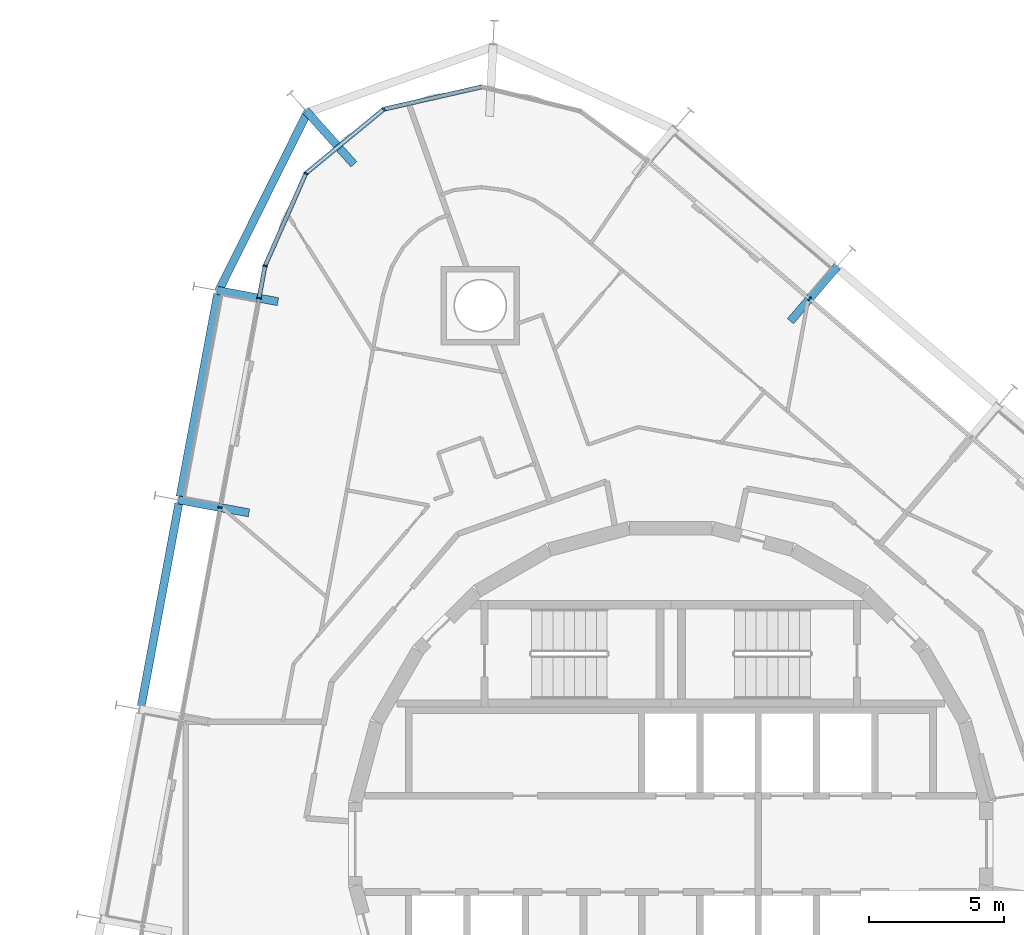
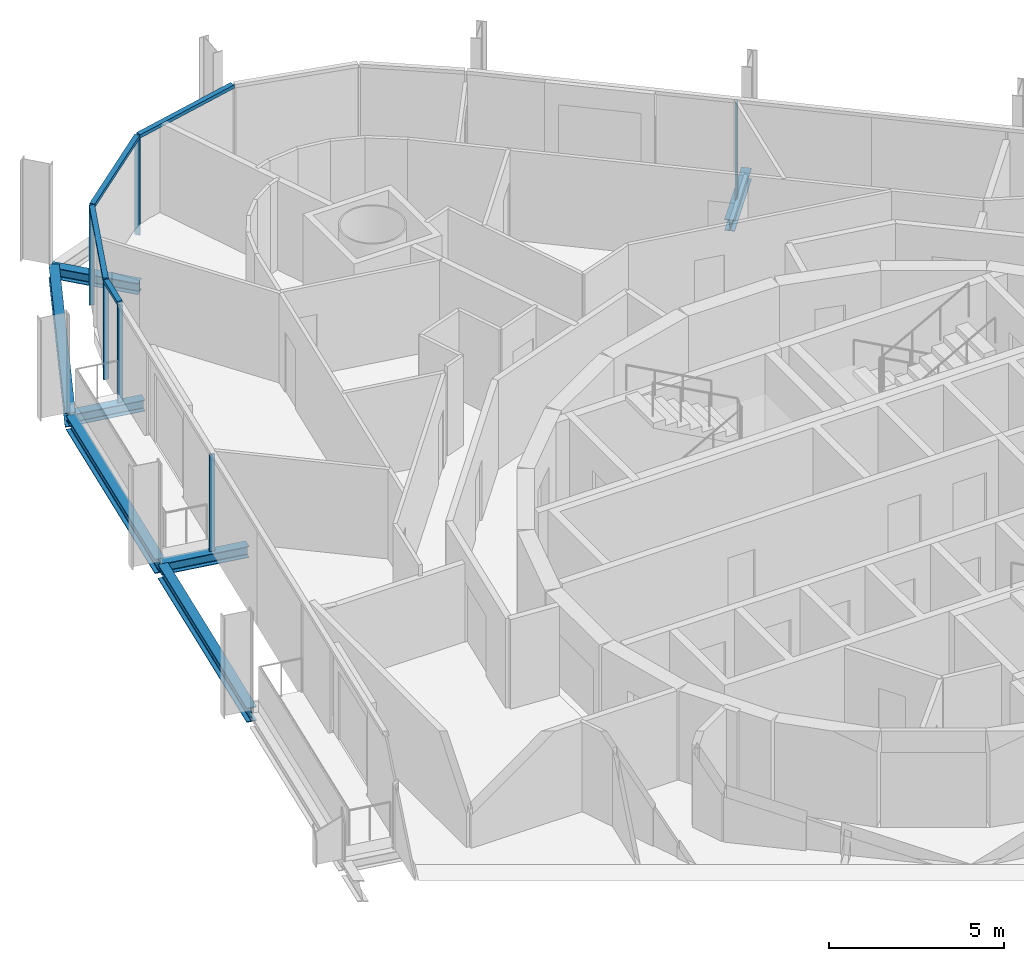
# One storey, part 6 of 17: 10 members, 7 beams, 3 elements without a shape of their own.
"""IFC4 building model written with IfcOpenShell, lengths in metres."""

import ifcopenshell
import ifcopenshell.guid

model = None  # the IFC model being written
_history = None  # IfcOwnerHistory: only IFC2X3 demands one
_inside = {}  # id of a spatial element -> (the spatial element, [elements in it])
_under = {}  # id of a project, library or spatial element -> (it, [spatial elements below it])
_declared = {}  # id of a project -> (the project, [libraries it declares])
_typed = {}  # id of a type object -> (the type object, [elements of that type])
_made_of = {}  # id of a material, layer set ... -> (it, [elements and type objects made of it])


def new_model(schema):
    """Start an empty IFC model of exactly this schema.

    Asked for "IFC4X3", IfcOpenShell would pick the latest addendum, in which some entities
    have other attributes; the version numbers below select the first issue.
    IFC2X3 requires an IfcOwnerHistory on every rooted entity: one is made here for all.
    """
    global model, _history
    if schema == "IFC4X3":
        model = ifcopenshell.file(schema_version=(4, 3, 0, 0))
    else:
        model = ifcopenshell.file(schema=schema)
    _inside.clear()
    _under.clear()
    _declared.clear()
    _typed.clear()
    _made_of.clear()
    _history = None
    if model.schema == "IFC2X3":
        org = make("IfcOrganization", Name="unknown")
        user = make(
            "IfcPersonAndOrganization",
            ThePerson=make("IfcPerson", FamilyName="unknown"),
            TheOrganization=org,
        )
        app = make(
            "IfcApplication",
            ApplicationDeveloper=org,
            Version="unknown",
            ApplicationFullName="unknown",
            ApplicationIdentifier="unknown",
        )
        _history = make(
            "IfcOwnerHistory",
            OwningUser=user,
            OwningApplication=app,
            ChangeAction="ADDED",
            CreationDate=0,
        )
    return model


def make(cls, **values):
    """One entity of the class cls with the attributes given. An attribute that is None is left unset."""
    return model.create_entity(
        cls, **{name: value for name, value in values.items() if value is not None}
    )


def rooted(cls, **values):
    """An entity with a GlobalId (a new one), such as an element, a storey or a relation."""
    return make(cls, GlobalId=ifcopenshell.guid.new(), OwnerHistory=_history, **values)


def si_unit(unit_type, name, prefix=None):
    """IfcSIUnit, for example si_unit("LENGTHUNIT", "METRE", prefix="MILLI")."""
    return make("IfcSIUnit", UnitType=unit_type, Prefix=prefix, Name=name)


def assignment(units):
    """IfcUnitAssignment: the units of a project."""
    return None if units is None else make("IfcUnitAssignment", Units=units)


def point(xyz):
    """IfcCartesianPoint."""
    return None if xyz is None else make("IfcCartesianPoint", Coordinates=xyz)


def direction(xyz):
    """IfcDirection."""
    return None if xyz is None else make("IfcDirection", DirectionRatios=xyz)


def frame(location, z_axis=None, x_axis=None):
    """IfcAxis2Placement3D, a coordinate frame: its origin and axes. An axis left out is left unset."""
    return make(
        "IfcAxis2Placement3D",
        Location=point(location),
        Axis=direction(z_axis),
        RefDirection=direction(x_axis),
    )


def frame_2d(location, x_axis=None):
    """IfcAxis2Placement2D, a coordinate frame in the plane: its origin and x axis."""
    return make(
        "IfcAxis2Placement2D", Location=point(location), RefDirection=direction(x_axis)
    )


def origin():
    """The frame at (0, 0, 0) with its axes left unset."""
    return frame((0.0, 0.0, 0.0))


def origin_2d():
    """The frame at (0, 0) in the plane with its x axis left unset."""
    return frame_2d((0.0, 0.0))


def place(relative_to, where):
    """IfcLocalPlacement: puts the frame where relative to a parent placement (None: the world)."""
    return make(
        "IfcLocalPlacement", PlacementRelTo=relative_to, RelativePlacement=where
    )


def context(
    kind, dimensions, precision=None, world=None, true_north=None, identifier=None
):
    """IfcGeometricRepresentationContext, for example the 3D "Model" context."""
    return make(
        "IfcGeometricRepresentationContext",
        ContextIdentifier=identifier,
        ContextType=kind,
        CoordinateSpaceDimension=dimensions,
        Precision=precision,
        WorldCoordinateSystem=world,
        TrueNorth=true_north,
    )


def subcontext(parent, identifier, kind, view, scale=None):
    """IfcGeometricRepresentationSubContext, for example "Body" below "Model"."""
    return make(
        "IfcGeometricRepresentationSubContext",
        ContextIdentifier=identifier,
        ContextType=kind,
        ParentContext=parent,
        TargetScale=scale,
        TargetView=view,
    )


def project(units=None, contexts=None):
    """IfcProject with its units and contexts."""
    return rooted(
        "IfcProject",
        Name="project",
        RepresentationContexts=contexts,
        UnitsInContext=assignment(units),
    )


def spatial(cls, under=None, at=None, **own):
    """A site, building, storey or space (cls), placed at a placement, below another one or the project."""
    s = rooted(cls, ObjectPlacement=at, **own)
    if under is not None:
        _under.setdefault(under.id(), (under, []))[1].append(s)
    return s


def profile(cls, at=None, kind="AREA", **sizes):
    """A parametric profile (cls). Its sizes go by their IFC names, for example OverallWidth=200.0."""
    return make(cls, ProfileType=kind, Position=at, **sizes)


def rectangle(**sizes):
    """IfcRectangleProfileDef."""
    return profile("IfcRectangleProfileDef", **sizes)


def i_section(**sizes):
    """IfcIShapeProfileDef."""
    return profile("IfcIShapeProfileDef", **sizes)


def extrude(swept, where, along, depth):
    """IfcExtrudedAreaSolid: the profile swept, set in the frame where, extruded along a direction by depth."""
    return make(
        "IfcExtrudedAreaSolid",
        SweptArea=swept,
        Position=where,
        ExtrudedDirection=direction(along),
        Depth=depth,
    )


def shape(context_of_items, identifier, shape_type, items):
    """IfcShapeRepresentation: the items that make up one representation, for example the "Body"."""
    return make(
        "IfcShapeRepresentation",
        ContextOfItems=context_of_items,
        RepresentationIdentifier=identifier,
        RepresentationType=shape_type,
        Items=items,
    )


def material(Name=None, Category=None):
    """IfcMaterial."""
    return make("IfcMaterial", Name=Name, Category=Category)


def layer(
    of_material, thickness, ventilated=None, Name=None, Category=None, Priority=None
):
    """IfcMaterialLayer: one layer of a wall or slab, of a material (None: an air gap)."""
    return make(
        "IfcMaterialLayer",
        Material=of_material,
        LayerThickness=thickness,
        IsVentilated=ventilated,
        Name=Name,
        Category=Category,
        Priority=Priority,
    )


def layer_set(layers, Name=None):
    """IfcMaterialLayerSet."""
    return make("IfcMaterialLayerSet", MaterialLayers=layers, LayerSetName=Name)


def material_profile(
    of_material, cross_section, Name=None, Category=None, Priority=None
):
    """IfcMaterialProfile: a cross section and its material."""
    return make(
        "IfcMaterialProfile",
        Name=Name,
        Material=of_material,
        Profile=cross_section,
        Priority=Priority,
        Category=Category,
    )


def profile_set(profiles, Name=None, composite=None):
    """IfcMaterialProfileSet."""
    return make(
        "IfcMaterialProfileSet",
        Name=Name,
        MaterialProfiles=profiles,
        CompositeProfile=composite,
    )


def made_of(thing, what):
    """Note that an element or type object is made of a material, layer set ...; save() writes the relation."""
    if what is not None:
        _made_of.setdefault(what.id(), (what, []))[1].append(thing)
    return thing


def type_object(cls, material=None, **own):
    """A type object (cls), such as IfcWallType, which elements share."""
    return made_of(rooted(cls, **own), material)


def element(
    cls,
    number,
    at=None,
    inside=None,
    cuts=None,
    type_object=None,
    material=None,
    context=None,
    identifier="Body",
    shape_type=None,
    held_by="IfcProductDefinitionShape",
    body=None,
    shapes=None,
    **own,
):
    """One element of the class cls, such as IfcWall. Its Tag is "e" and its number.

    at: its placement. inside: the storey or other place that contains it. cuts: it is an
    opening in that element (IfcRelVoidsElement). A single representation is given by context,
    identifier, shape_type and body (its items); several are given by shapes. held_by: the class
    of the entity that holds the representations. save() writes the other relations.
    """
    e = rooted(cls, Tag="e%d" % number, ObjectPlacement=at, **own)
    if body is not None:
        shapes = [shape(context, identifier, shape_type, body)]
    if shapes is not None:
        e.Representation = make(held_by, Representations=shapes)
    if inside is not None:
        _inside.setdefault(inside.id(), (inside, []))[1].append(e)
    if cuts is not None:
        rooted(
            "IfcRelVoidsElement", RelatingBuildingElement=cuts, RelatedOpeningElement=e
        )
    if type_object is not None:
        _typed.setdefault(type_object.id(), (type_object, []))[1].append(e)
    return made_of(e, material)


def aggregate(whole, parts):
    """IfcRelAggregates: a whole, such as a stair, and the parts it consists of."""
    return rooted("IfcRelAggregates", RelatingObject=whole, RelatedObjects=parts)


def save(model, path):
    """Write the relations noted so far, then the file.

    IfcRelAggregates (storeys below a building ...), IfcRelContainedInSpatialStructure (elements
    in a storey), IfcRelDefinesByType, IfcRelAssociatesMaterial and IfcRelDeclares: one each for
    every whole, place, type object, material and project.
    """
    for whole, parts in _under.values():
        aggregate(whole, parts)
    for where, things in _inside.values():
        rooted(
            "IfcRelContainedInSpatialStructure",
            RelatedElements=things,
            RelatingStructure=where,
        )
    for kind, things in _typed.values():
        rooted("IfcRelDefinesByType", RelatedObjects=things, RelatingType=kind)
    for what, things in _made_of.values():
        rooted("IfcRelAssociatesMaterial", RelatedObjects=things, RelatingMaterial=what)
    for by, libraries in _declared.values():
        rooted("IfcRelDeclares", RelatingContext=by, RelatedDefinitions=libraries)
    model.write(path)


model = new_model("IFC4")

# Units and contexts
model_context = context("Model", 3, precision=1e-05, world=origin(), true_north=direction((0.0, 1.0)))
body_context = subcontext(model_context, "Body", "Model", "MODEL_VIEW")
ifc_project = project(units=[si_unit("LENGTHUNIT", "METRE"), si_unit("AREAUNIT", "SQUARE_METRE"), si_unit("VOLUMEUNIT", "CUBIC_METRE"), si_unit("PLANEANGLEUNIT", "RADIAN"), si_unit("MASSUNIT", "GRAM", prefix="KILO")], contexts=[model_context])

# Site, building, storey
site_placement = place(None, origin())
site = spatial("IfcSite", under=ifc_project, at=site_placement, CompositionType="ELEMENT")
building_placement = place(site_placement, origin())
building = spatial("IfcBuilding", under=site, at=building_placement, Name="Spindle Arch Residences", CompositionType="ELEMENT")
storey_placement = place(building_placement, frame((0.0, 0.0, 158.699951171875)))
storey = spatial("IfcBuildingStorey", under=building, at=storey_placement, Name="L39", CompositionType="ELEMENT", Elevation=158.699951171875)

# Curtain wall, member
ifc_material_1 = material(Name="Aluminium bronze unitised frame with tinted glass", Category="aluminium")
ifc_layer_1 = layer(ifc_material_1, 0.159912109375)
ifc_layer_set_1 = layer_set([ifc_layer_1], Name="CW-C typical residential unitised wall")
curtain_wall_type_1 = type_object("IfcCurtainWallType", Name="CW-C typical residential unitised wall", PredefinedType="NOTDEFINED", material=ifc_layer_set_1)
curtain_wall_1_placement = place(storey_placement, origin())
curtain_wall_1 = element("IfcCurtainWall", 1, at=curtain_wall_1_placement, inside=storey, type_object=curtain_wall_type_1, Name="CW-C L39 run 2", PredefinedType="NOTDEFINED")
ifc_material_2 = material(Name="Aluminium bronze anodised mullion", Category="aluminium")
ifc_material_profile_1 = material_profile(ifc_material_2, rectangle(XDim=0.159912109375, YDim=0.06005859375, at=origin_2d()), Name="MU 60x160")
ifc_profile_set_1 = profile_set([ifc_material_profile_1], Name="Aluminium bronze anodised mullion")
member_type_1 = type_object("IfcMemberType", Name="Bronze mullion 60x160", PredefinedType="MULLION", material=ifc_profile_set_1)
member_1_placement = place(storey_placement, frame((5.115234375, 20.10888671875, -0.3798828125), z_axis=(0.0, 0.0, 1.0), x_axis=(-0.64944804833, -0.7604059656, 0.0)))
member_1 = element("IfcMember", 2, at=member_1_placement, type_object=member_type_1, Name="CW-C mullion 08", PredefinedType="MULLION", context=body_context, shape_type="SweptSolid", body=[
    extrude(rectangle(XDim=0.159912109375, YDim=0.06005859375, at=origin_2d()), origin(), (0.0, 0.0, 1.0), 3.3798828125),
])
aggregate(curtain_wall_1, [member_1])

# Curtain wall, members
ifc_material_3 = material(Name="Aluminium bronze unitised frame with tinted glass", Category="aluminium")
ifc_layer_2 = layer(ifc_material_3, 0.159912109375)
ifc_layer_set_2 = layer_set([ifc_layer_2], Name="CW-D corner wall on the fillet arcs")
curtain_wall_type_2 = type_object("IfcCurtainWallType", Name="CW-D corner wall on the fillet arcs", PredefinedType="NOTDEFINED", material=ifc_layer_set_2)
curtain_wall_2_placement = place(storey_placement, origin())
curtain_wall_2 = element("IfcCurtainWall", 3, at=curtain_wall_2_placement, inside=storey, type_object=curtain_wall_type_2, Name="CW-D L39 run 3", PredefinedType="NOTDEFINED")
member_2_placement = place(storey_placement, frame((-10.594970703125, 27.109619140625, -0.3798828125), z_axis=(0.0, 0.0, 1.0), x_axis=(0.636078220709, -0.771624583032, 0.0)))
member_2 = element("IfcMember", 4, at=member_2_placement, type_object=member_type_1, Name="CW-D mullion 03", PredefinedType="MULLION", context=body_context, shape_type="SweptSolid", body=[
    extrude(rectangle(XDim=0.159912109375, YDim=0.06005859375, at=origin_2d()), origin(), (0.0, 0.0, 1.0), 3.3798828125),
])
member_3_placement = place(storey_placement, frame((-13.470703125, 24.739013671875, -0.3798828125), z_axis=(0.0, 0.0, 1.0), x_axis=(0.914724741271, -0.404077526853, 0.0)))
member_3 = element("IfcMember", 5, at=member_3_placement, type_object=member_type_1, Name="CW-D mullion 04", PredefinedType="MULLION", context=body_context, shape_type="SweptSolid", body=[
    extrude(rectangle(XDim=0.159912109375, YDim=0.06005859375, at=origin_2d()), origin(), (0.0, 0.0, 1.0), 3.3798828125),
])
member_4_placement = place(storey_placement, frame((-14.9765625, 21.330078125, -0.3798828125), z_axis=(0.0, 0.0, 1.0), x_axis=(0.983254907564, -0.182235525492, 0.0)))
member_4 = element("IfcMember", 6, at=member_4_placement, type_object=member_type_1, Name="CW-D mullion 05", PredefinedType="MULLION", context=body_context, shape_type="SweptSolid", body=[
    extrude(rectangle(XDim=0.159912109375, YDim=0.06005859375, at=origin_2d()), origin(), (0.0, 0.0, 1.0), 3.3798828125),
])

curtain_wall_3_placement = place(storey_placement, origin())
curtain_wall_3 = element("IfcCurtainWall", 7, at=curtain_wall_3_placement, inside=storey, type_object=curtain_wall_type_1, Name="CW-C L39 run 4", PredefinedType="NOTDEFINED")
member_5_placement = place(storey_placement, frame((-15.19775390625, 20.136962890625, -0.3798828125), z_axis=(0.0, 0.0, 1.0), x_axis=(0.983254907564, -0.182235525492, 0.0)))
member_5 = element("IfcMember", 8, at=member_5_placement, type_object=member_type_1, Name="CW-C mullion 12", PredefinedType="MULLION", context=body_context, shape_type="SweptSolid", body=[
    extrude(rectangle(XDim=0.159912109375, YDim=0.06005859375, at=origin_2d()), origin(), (0.0, 0.0, 1.0), 3.3798828125),
])
member_6_placement = place(storey_placement, frame((-16.630126953125, 12.408447265625, -0.3798828125), z_axis=(0.0, 0.0, 1.0), x_axis=(0.983254907564, -0.182235525492, 0.0)))
member_6 = element("IfcMember", 9, at=member_6_placement, type_object=member_type_1, Name="CW-C mullion 13", PredefinedType="MULLION", context=body_context, shape_type="SweptSolid", body=[
    extrude(rectangle(XDim=0.159912109375, YDim=0.06005859375, at=origin_2d()), origin(), (0.0, 0.0, 1.0), 3.3798828125),
])
aggregate(curtain_wall_3, [member_5, member_6])

# Member
ifc_material_4 = material(Name="Aluminium bronze anodised transom", Category="aluminium")
ifc_material_profile_2 = material_profile(ifc_material_4, rectangle(XDim=0.159912109375, YDim=0.1201171875, at=origin_2d()), Name="TR 120x160")
ifc_profile_set_2 = profile_set([ifc_material_profile_2], Name="Aluminium bronze anodised transom")
member_type_2 = type_object("IfcMemberType", Name="Bronze transom 120x160", PredefinedType="USERDEFINED", material=ifc_profile_set_2)
member_7_placement = place(storey_placement, frame((-6.99072265625, 27.9306640625, 3.06005859375), z_axis=(-0.975020234813, -0.222116054585, 0.0), x_axis=(0.222116054585, -0.975020234813, 0.0)))
member_7 = element("IfcMember", 10, at=member_7_placement, type_object=member_type_2, Name="CW-D transom 02", ObjectType="TRANSOM", PredefinedType="USERDEFINED", context=body_context, shape_type="SweptSolid", body=[
    extrude(rectangle(XDim=0.159912109375, YDim=0.1201171875, at=origin_2d()), origin(), (0.0, 0.0, 1.0), 3.666748046875),
])

member_8_placement = place(storey_placement, frame((-10.6181640625, 27.09033203125, 3.06005859375), z_axis=(-0.771632242696, -0.63606892868, 0.0), x_axis=(0.63606892868, -0.771632242696, 0.0)))
member_8 = element("IfcMember", 11, at=member_8_placement, type_object=member_type_2, Name="CW-D transom 03", ObjectType="TRANSOM", PredefinedType="USERDEFINED", context=body_context, shape_type="SweptSolid", body=[
    extrude(rectangle(XDim=0.159912109375, YDim=0.1201171875, at=origin_2d()), origin(), (0.0, 0.0, 1.0), 3.666748046875),
])

member_9_placement = place(storey_placement, frame((-13.48291015625, 24.711669921875, 3.06005859375), z_axis=(-0.404067984384, -0.914728956575, 0.0), x_axis=(0.914728956575, -0.404067984384, 0.0)))
member_9 = element("IfcMember", 12, at=member_9_placement, type_object=member_type_2, Name="CW-D transom 04", ObjectType="TRANSOM", PredefinedType="USERDEFINED", context=body_context, shape_type="SweptSolid", body=[
    extrude(rectangle(XDim=0.159912109375, YDim=0.1201171875, at=origin_2d()), origin(), (0.0, 0.0, 1.0), 3.6669921875),
])

member_10_placement = place(storey_placement, frame((-14.982177734375, 21.300537109375, 3.06005859375), z_axis=(-0.182256018308, -0.983251109224, 0.0), x_axis=(0.983251109224, -0.182256018308, 0.0)))
member_10 = element("IfcMember", 13, at=member_10_placement, type_object=member_type_2, Name="CW-D transom 05", ObjectType="TRANSOM", PredefinedType="USERDEFINED", context=body_context, shape_type="SweptSolid", body=[
    extrude(rectangle(XDim=0.159912109375, YDim=0.1201171875, at=origin_2d()), origin(), (0.0, 0.0, 1.0), 1.1533203125),
])

aggregate(curtain_wall_2, [member_7, member_2, member_8, member_3, member_9, member_4, member_10])

# Beams
ifc_material_5 = material(Name="Steel S460ML, intumescent coating R 120", Category="steel")
ifc_material_profile_3 = material_profile(ifc_material_5, i_section(OverallWidth=0.300048828125, OverallDepth=0.5, WebThickness=0.014404296875, FlangeThickness=0.028076171875, FilletRadius=0.027099609375, at=origin_2d()), Name="HEB 500")
ifc_profile_set_3 = profile_set([ifc_material_profile_3], Name="Steel S460ML, intumescent coating R 120")
beam_type_1 = type_object("IfcBeamType", Name="Exoskeleton edge beam HEB 500", PredefinedType="BEAM", material=ifc_profile_set_3)
beam_1_placement = place(storey_placement, frame((-13.39404296875, 27.031005859375, -0.6298828125), z_axis=(-0.445068669434, -0.895496443035, 0.0), x_axis=(0.895496443035, -0.445068669434, 0.0)))
element("IfcBeam", 14, at=beam_1_placement, inside=storey, type_object=beam_type_1, Name="Exoskeleton edge beam 12", PredefinedType="BEAM", context=body_context, shape_type="SweptSolid", body=[
    extrude(i_section(OverallWidth=0.300048828125, OverallDepth=0.5, WebThickness=0.014404296875, FlangeThickness=0.028076171875, FilletRadius=0.027099609375, at=origin_2d()), origin(), (0.0, 0.0, 1.0), 7.42578125),
])
for number, where, z_axis, x_axis, name in (
    (15, (-16.725830078125, 20.2880859375, -0.6298828125), (-0.182234195466, -0.983255154069, 0.0), (0.983255154069, -0.182234195466, 0.0), "Exoskeleton edge beam 13"),
    (16, (-18.158203125, 12.5595703125, -0.6298828125), (-0.182234195466, -0.983255154069, 0.0), (0.983255154069, -0.182234195466, 0.0), "Exoskeleton edge beam 14"),
):
    element("IfcBeam", number, at=place(storey_placement, frame(where, z_axis=z_axis, x_axis=x_axis)), inside=storey, type_object=beam_type_1, Name=name, PredefinedType="BEAM", context=body_context, shape_type="SweptSolid", body=[
        extrude(i_section(OverallWidth=0.300048828125, OverallDepth=0.5, WebThickness=0.014404296875, FlangeThickness=0.028076171875, FilletRadius=0.027099609375, at=origin_2d()), origin(), (0.0, 0.0, 1.0), 7.60009765625),
    ])
ifc_material_6 = material(Name="Steel S460ML, intumescent coating R 120", Category="steel")
ifc_material_profile_4 = material_profile(ifc_material_6, i_section(OverallWidth=0.300048828125, OverallDepth=0.389892578125, WebThickness=0.010986328125, FlangeThickness=0.01904296875, FilletRadius=0.027099609375, at=origin_2d()), Name="HEA 400")
ifc_profile_set_4 = profile_set([ifc_material_profile_4], Name="Steel S460ML, intumescent coating R 120")
beam_type_2 = type_object("IfcBeamType", Name="Floor outrigger HEA 400", PredefinedType="BEAM", material=ifc_profile_set_4)
for number, where, z_axis, x_axis, name in (
    (17, (6.134765625, 21.302734375, -0.574951171875), (-0.64941704551, -0.760432443417, 0.0), (0.760432443417, -0.64941704551, 0.0), "Floor outrigger 9"),
    (18, (-13.46337890625, 27.052001953125, -0.574951171875), (0.666477017118, -0.745525576793, 0.0), (0.745525576793, 0.666477017118, 0.0), "Floor outrigger 12"),
):
    element("IfcBeam", number, at=place(storey_placement, frame(where, z_axis=z_axis, x_axis=x_axis)), inside=storey, type_object=beam_type_2, Name=name, PredefinedType="BEAM", context=body_context, shape_type="SweptSolid", body=[
        extrude(i_section(OverallWidth=0.300048828125, OverallDepth=0.389892578125, WebThickness=0.010986328125, FlangeThickness=0.01904296875, FilletRadius=0.027099609375, at=origin_2d()), origin(), (0.0, 0.0, 1.0), 2.64990234375),
    ])
beam_2_placement = place(storey_placement, frame((-16.741455078125, 20.423095703125, -0.574951171875), z_axis=(0.983259266178, -0.182212006947, 0.0), x_axis=(0.182212006947, 0.983259266178, 0.0)))
element("IfcBeam", 19, at=beam_2_placement, inside=storey, type_object=beam_type_2, Name="Floor outrigger 13", PredefinedType="BEAM", context=body_context, shape_type="SweptSolid", body=[
    extrude(i_section(OverallWidth=0.300048828125, OverallDepth=0.389892578125, WebThickness=0.010986328125, FlangeThickness=0.01904296875, FilletRadius=0.027099609375, at=origin_2d()), origin(), (0.0, 0.0, 1.0), 2.279052734375),
])
beam_3_placement = place(storey_placement, frame((-18.173828125, 12.694580078125, -0.574951171875), z_axis=(0.98325694826, -0.182224514537, 0.0), x_axis=(0.182224514537, 0.98325694826, 0.0)))
element("IfcBeam", 20, at=beam_3_placement, inside=storey, type_object=beam_type_2, Name="Floor outrigger 14", PredefinedType="BEAM", context=body_context, shape_type="SweptSolid", body=[
    extrude(i_section(OverallWidth=0.300048828125, OverallDepth=0.389892578125, WebThickness=0.010986328125, FlangeThickness=0.01904296875, FilletRadius=0.027099609375, at=origin_2d()), origin(), (0.0, 0.0, 1.0), 2.650146484375),
])

save(model, "model.ifc")
